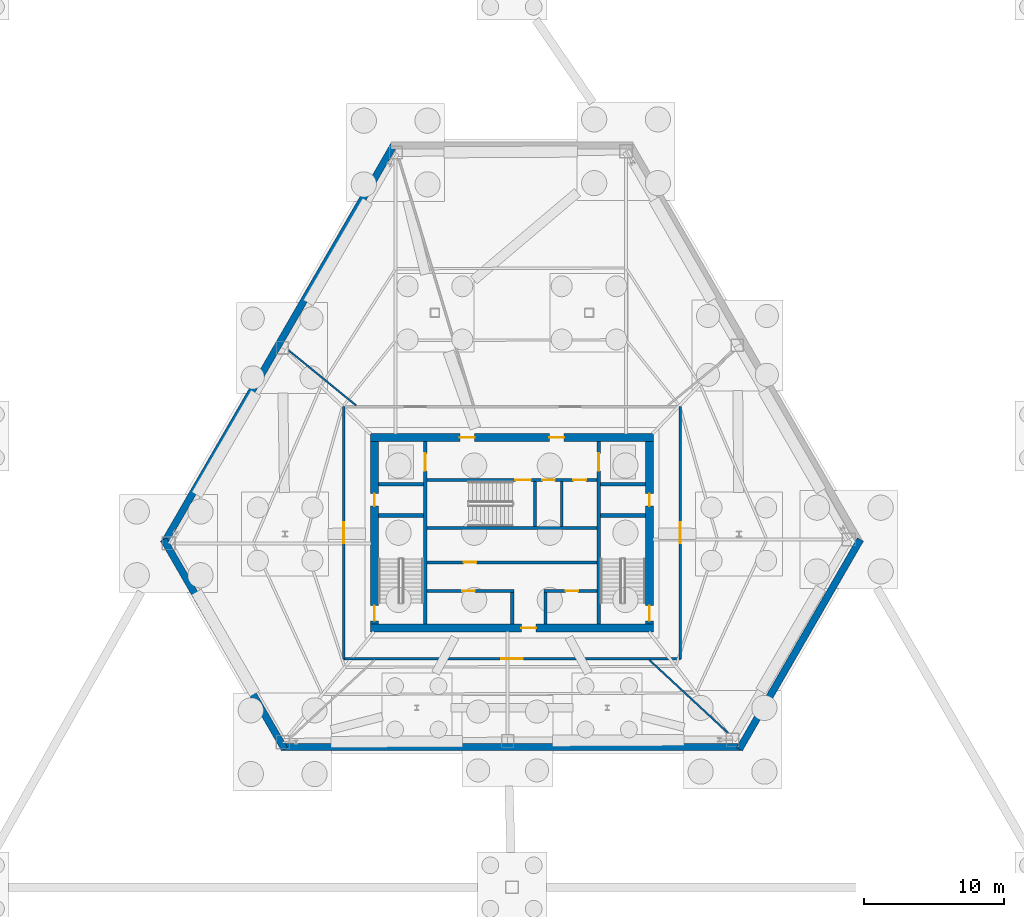
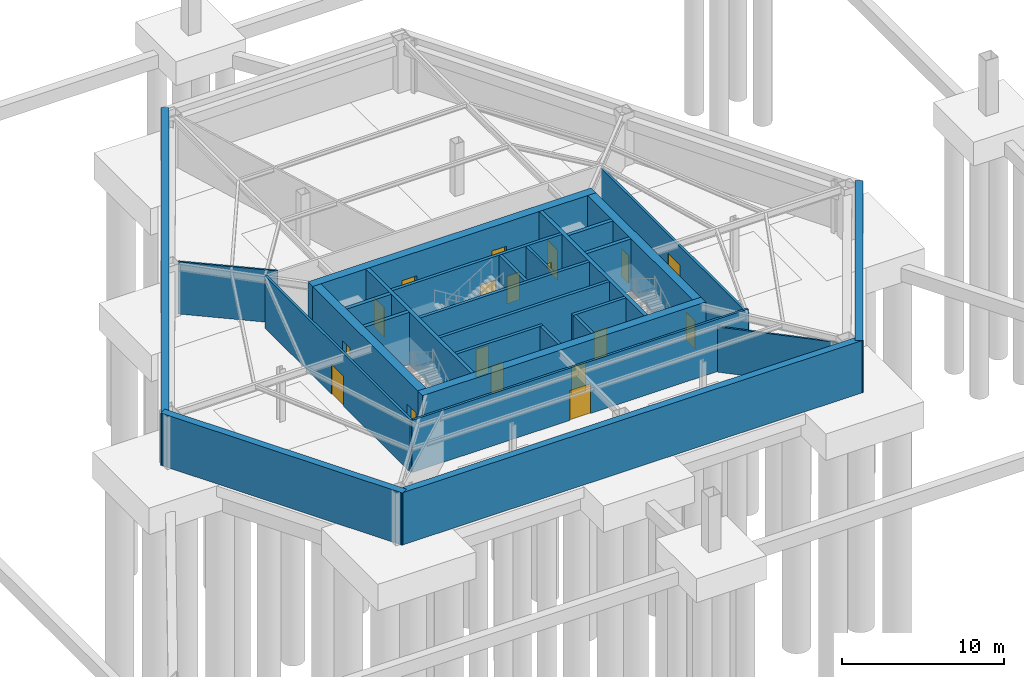
# One storey, part 8 of 11: 28 walls, 18 doors, 18 openings.
"""IFC4 building model written with IfcOpenShell, lengths in metres."""

from ifc_helpers import new_model, si_unit, direction, frame, frame_2d, origin, place, context, subcontext, project, spatial, rectangle, extrude, material, layer, layer_set, type_object, element, fill, save


model = new_model("IFC4")

# Units and contexts
model_context = context("Model", 3, precision=1e-05, world=origin(), true_north=direction((0.0, 1.0)))
body_context = subcontext(model_context, "Body", "Model", "MODEL_VIEW")
ifc_project = project(units=[si_unit("LENGTHUNIT", "METRE"), si_unit("AREAUNIT", "SQUARE_METRE"), si_unit("VOLUMEUNIT", "CUBIC_METRE"), si_unit("PLANEANGLEUNIT", "RADIAN"), si_unit("MASSUNIT", "GRAM", prefix="KILO")], contexts=[model_context])

# Site, building, storey
site_placement = place(None, origin())
site = spatial("IfcSite", under=ifc_project, at=site_placement, CompositionType="ELEMENT")
building_placement = place(site_placement, origin())
building = spatial("IfcBuilding", under=site, at=building_placement, Name="Kavelnor Concourse Tower", CompositionType="ELEMENT")
storey_placement = place(building_placement, frame((0.0, 0.0, -8.39990234375)))
storey = spatial("IfcBuildingStorey", under=building, at=storey_placement, Name="B02", CompositionType="ELEMENT", Elevation=-8.39990234375)

# Walls
ifc_material_1 = material(Name="Concrete C50/60", Category="concrete")
ifc_layer_1 = layer(ifc_material_1, 0.5, Name="Concrete C50/60")
ifc_layer_set_1 = layer_set([ifc_layer_1], Name="Concrete C50/60")
wall_type_1 = type_object("IfcWallType", Name="WL-BSMT-RET-500", PredefinedType="SHEAR", material=ifc_layer_set_1)
wall_1_placement = place(storey_placement, frame((29.622314453125, 43.889404296875, 0.0), z_axis=(0.0, 0.0, 1.0), x_axis=(-0.499999749417, -0.866025548458, 0.0)))
element("IfcWall", 1, at=wall_1_placement, inside=storey, type_object=wall_type_1, Name="B02 Perimeter Retaining Wall 2 (500 mm)", PredefinedType="SHEAR", context=body_context, shape_type="SweptSolid", body=[
    extrude(rectangle(XDim=33.0, YDim=0.5, at=frame_2d((16.5, 0.0))), origin(), (0.0, 0.0, 1.0), 3.949951171875),
])
wall_2_placement = place(storey_placement, frame((13.122314453125, 15.618408203125, 0.0), z_axis=(0.0, 0.0, 1.0), x_axis=(0.499998305863, -0.866026381893, 0.0)))
element("IfcWall", 2, at=wall_2_placement, inside=storey, type_object=wall_type_1, Name="B02 Perimeter Retaining Wall 3 (500 mm)", PredefinedType="SHEAR", context=body_context, shape_type="SweptSolid", body=[
    extrude(rectangle(XDim=17.28857421875, YDim=0.5, at=frame_2d((8.644287109375, 0.0))), origin(), (0.0, 0.0, 1.0), 3.949951171875),
])
wall_3_placement = place(storey_placement, frame((21.5, 0.800048828125, 0.0), z_axis=(0.0, 0.0, 1.0), x_axis=(1.0, 0.0, 0.0)))
element("IfcWall", 3, at=wall_3_placement, inside=storey, type_object=wall_type_1, Name="B02 Perimeter Retaining Wall 4 (500 mm)", PredefinedType="SHEAR", context=body_context, shape_type="SweptSolid", body=[
    extrude(rectangle(XDim=33.0, YDim=0.5, at=frame_2d((16.5, 0.0))), origin(), (0.0, 0.0, 1.0), 3.949951171875),
])
wall_4_placement = place(storey_placement, frame((54.2333984375, 0.64599609375, 0.0), z_axis=(0.0, 0.0, 1.0), x_axis=(0.499998305863, 0.866026381893, 0.0)))
element("IfcWall", 4, at=wall_4_placement, inside=storey, type_object=wall_type_1, Name="B02 Perimeter Retaining Wall 5 (500 mm)", PredefinedType="SHEAR", context=body_context, shape_type="SweptSolid", body=[
    extrude(rectangle(XDim=17.28857421875, YDim=0.5, at=frame_2d((8.644287109375, 0.0))), origin(), (0.0, 0.0, 1.0), 3.949951171875),
])

# Wall, opening, door
ifc_material_2 = material(Name="Concrete C60/75", Category="concrete")
ifc_layer_2 = layer(ifc_material_2, 0.60009765625, Name="Concrete C60/75")
ifc_layer_set_2 = layer_set([ifc_layer_2], Name="Concrete C60/75")
wall_type_2 = type_object("IfcWallType", Name="WL-CORE-Z1-600", PredefinedType="SOLIDWALL", material=ifc_layer_set_2)
wall_5_placement = place(storey_placement, frame((27.8798828125, 9.300048828125, 0.0), z_axis=(0.0, 0.0, 1.0), x_axis=(1.0, 0.0, 0.0)))
wall_5 = element("IfcWall", 5, at=wall_5_placement, inside=storey, type_object=wall_type_2, Name="B02 Central Core South Shear Wall", PredefinedType="SOLIDWALL", context=body_context, shape_type="SweptSolid", body=[
    extrude(rectangle(XDim=20.240234375, YDim=0.60009765625, at=frame_2d((10.1201171875, 0.0))), origin(), (0.0, 0.0, 1.0), 3.949951171875),
])
opening_1_placement = place(wall_5_placement, frame((10.794921875, 0.0, 0.0)))
opening_1 = element("IfcOpeningElement", 6, at=opening_1_placement, cuts=wall_5, Name="Opening FD-105", PredefinedType="OPENING", context=body_context, shape_type="SweptSolid", body=[
    extrude(rectangle(XDim=1.050048828125, YDim=2.14990234375, at=frame_2d((0.52490234375, 1.074951171875))), frame((0.0, 0.31005859375, 0.0), z_axis=(0.0, -1.0, 0.0), x_axis=(1.0, 0.0, 0.0)), (0.0, 0.0, 1.0), 0.6201171875),
])
ifc_material_3 = material(Name="Steel Grade 350", Category="steel")
door_type_1 = type_object("IfcDoorType", Name="DR-LOBBY-FIRE-1050", OperationType="NOTDEFINED", PredefinedType="DOOR", material=ifc_material_3)
door_1_placement = place(opening_1_placement, origin())
door_1 = element("IfcDoor", 7, at=door_1_placement, inside=storey, type_object=door_type_1, Name="B02 Passenger Lift Lobby Entry Door", OperationType="SINGLE_SWING_LEFT", OverallHeight=2.14990234375, OverallWidth=1.050048828125, PredefinedType="DOOR", context=body_context, shape_type="SweptSolid", body=[
    extrude(rectangle(XDim=1.050048828125, YDim=2.14990234375, at=frame_2d((0.52490234375, 1.074951171875))), frame((0.0, 0.02490234375, 0.0), z_axis=(0.0, -1.0, 0.0), x_axis=(1.0, 0.0, 0.0)), (0.0, 0.0, 1.0), 0.050048828125),
])
fill(opening_1, door_1)

# Wall, openings, doors
wall_6_placement = place(storey_placement, frame((27.8798828125, 22.89990234375, 0.0), z_axis=(0.0, 0.0, 1.0), x_axis=(1.0, 0.0, 0.0)))
wall_6 = element("IfcWall", 8, at=wall_6_placement, inside=storey, type_object=wall_type_2, Name="B02 Central Core North Shear Wall", PredefinedType="SOLIDWALL", context=body_context, shape_type="SweptSolid", body=[
    extrude(rectangle(XDim=20.240234375, YDim=0.60009765625, at=frame_2d((10.1201171875, 0.0))), origin(), (0.0, 0.0, 1.0), 3.949951171875),
])
opening_2_placement = place(wall_6_placement, frame((6.39501953125, 0.0, 0.0)))
opening_2 = element("IfcOpeningElement", 9, at=opening_2_placement, cuts=wall_6, Name="Opening FD-105", PredefinedType="OPENING", context=body_context, shape_type="SweptSolid", body=[
    extrude(rectangle(XDim=1.050048828125, YDim=2.14990234375, at=frame_2d((0.52490234375, 1.074951171875))), frame((0.0, 0.31005859375, 0.0), z_axis=(0.0, -1.0, 0.0), x_axis=(1.0, 0.0, 0.0)), (0.0, 0.0, 1.0), 0.6201171875),
])
opening_3_placement = place(wall_6_placement, frame((12.794921875, 0.0, 0.0)))
opening_3 = element("IfcOpeningElement", 10, at=opening_3_placement, cuts=wall_6, Name="Opening FD-105", PredefinedType="OPENING", context=body_context, shape_type="SweptSolid", body=[
    extrude(rectangle(XDim=1.050048828125, YDim=2.14990234375, at=frame_2d((0.52490234375, 1.074951171875))), frame((0.0, 0.31005859375, 0.0), z_axis=(0.0, -1.0, 0.0), x_axis=(1.0, 0.0, 0.0)), (0.0, 0.0, 1.0), 0.6201171875),
])
door_2_placement = place(opening_2_placement, origin())
door_2 = element("IfcDoor", 11, at=door_2_placement, inside=storey, type_object=door_type_1, Name="B02 Emergency Lift Lobby West Door", OperationType="SINGLE_SWING_LEFT", OverallHeight=2.14990234375, OverallWidth=1.050048828125, PredefinedType="DOOR", context=body_context, shape_type="SweptSolid", body=[
    extrude(rectangle(XDim=1.050048828125, YDim=2.14990234375, at=frame_2d((0.52490234375, 1.074951171875))), frame((0.0, 0.02490234375, 0.0), z_axis=(0.0, -1.0, 0.0), x_axis=(1.0, 0.0, 0.0)), (0.0, 0.0, 1.0), 0.050048828125),
])
fill(opening_2, door_2)
door_3_placement = place(opening_3_placement, origin())
door_3 = element("IfcDoor", 12, at=door_3_placement, inside=storey, type_object=door_type_1, Name="B02 Emergency Lift Lobby East Door", OperationType="SINGLE_SWING_RIGHT", OverallHeight=2.14990234375, OverallWidth=1.050048828125, PredefinedType="DOOR", context=body_context, shape_type="SweptSolid", body=[
    extrude(rectangle(XDim=1.050048828125, YDim=2.14990234375, at=frame_2d((0.52490234375, 1.074951171875))), frame((0.0, 0.02490234375, 0.0), z_axis=(0.0, -1.0, 0.0), x_axis=(1.0, 0.0, 0.0)), (0.0, 0.0, 1.0), 0.050048828125),
])
fill(opening_3, door_3)

wall_7_placement = place(storey_placement, frame((28.179931640625, 9.60009765625, 0.0), z_axis=(0.0, 0.0, 1.0), x_axis=(0.0, 1.0, 0.0)))
wall_7 = element("IfcWall", 13, at=wall_7_placement, inside=storey, type_object=wall_type_2, Name="B02 Central Core West Shear Wall", PredefinedType="SOLIDWALL", context=body_context, shape_type="SweptSolid", body=[
    extrude(rectangle(XDim=13.0, YDim=0.60009765625, at=frame_2d((6.5, 0.0))), origin(), (0.0, 0.0, 1.0), 3.949951171875),
])
opening_4_placement = place(wall_7_placement, frame((0.199951171875, 0.0, 0.0)))
opening_4 = element("IfcOpeningElement", 14, at=opening_4_placement, cuts=wall_7, Name="Opening FD-110", PredefinedType="OPENING", context=body_context, shape_type="SweptSolid", body=[
    extrude(rectangle(XDim=1.10009765625, YDim=2.14990234375, at=frame_2d((0.550048828125, 1.074951171875))), frame((0.0, 0.31005859375, 0.0), z_axis=(0.0, -1.0, 0.0), x_axis=(1.0, 0.0, 0.0)), (0.0, 0.0, 1.0), 0.6201171875),
])
opening_5_placement = place(wall_7_placement, frame((8.39990234375, 0.0, 0.0)))
opening_5 = element("IfcOpeningElement", 15, at=opening_5_placement, cuts=wall_7, Name="Opening FD-090", PredefinedType="OPENING", context=body_context, shape_type="SweptSolid", body=[
    extrude(rectangle(XDim=0.89990234375, YDim=2.10009765625, at=frame_2d((0.449951171875, 1.050048828125))), frame((0.0, 0.31005859375, 0.0), z_axis=(0.0, -1.0, 0.0), x_axis=(1.0, 0.0, 0.0)), (0.0, 0.0, 1.0), 0.6201171875),
])
door_type_2 = type_object("IfcDoorType", Name="DR-RISER-FIRE-900", OperationType="NOTDEFINED", PredefinedType="DOOR", material=ifc_material_3)
door_4_placement = place(opening_5_placement, origin())
door_4 = element("IfcDoor", 16, at=door_4_placement, inside=storey, type_object=door_type_2, Name="B02 West Riser Access Door", OperationType="SINGLE_SWING_RIGHT", OverallHeight=2.10009765625, OverallWidth=0.89990234375, PredefinedType="DOOR", context=body_context, shape_type="SweptSolid", body=[
    extrude(rectangle(XDim=0.89990234375, YDim=2.10009765625, at=frame_2d((0.449951171875, 1.050048828125))), frame((0.0, 0.02490234375, 0.0), z_axis=(0.0, -1.0, 0.0), x_axis=(1.0, 0.0, 0.0)), (0.0, 0.0, 1.0), 0.050048828125),
])
fill(opening_5, door_4)
door_type_3 = type_object("IfcDoorType", Name="DR-STAIR-FIRE-1100", OperationType="NOTDEFINED", PredefinedType="DOOR", material=ifc_material_3)
door_5_placement = place(opening_4_placement, origin())
door_5 = element("IfcDoor", 17, at=door_5_placement, inside=storey, type_object=door_type_3, Name="B02 Stair ST1 Fire Door", OperationType="SINGLE_SWING_LEFT", OverallHeight=2.14990234375, OverallWidth=1.10009765625, PredefinedType="DOOR", context=body_context, shape_type="SweptSolid", body=[
    extrude(rectangle(XDim=1.10009765625, YDim=2.14990234375, at=frame_2d((0.550048828125, 1.074951171875))), frame((0.0, 0.02490234375, 0.0), z_axis=(0.0, -1.0, 0.0), x_axis=(1.0, 0.0, 0.0)), (0.0, 0.0, 1.0), 0.050048828125),
])
fill(opening_4, door_5)

wall_8_placement = place(storey_placement, frame((47.820068359375, 9.60009765625, 0.0), z_axis=(0.0, 0.0, 1.0), x_axis=(0.0, 1.0, 0.0)))
wall_8 = element("IfcWall", 18, at=wall_8_placement, inside=storey, type_object=wall_type_2, Name="B02 Central Core East Shear Wall", PredefinedType="SOLIDWALL", context=body_context, shape_type="SweptSolid", body=[
    extrude(rectangle(XDim=13.0, YDim=0.60009765625, at=frame_2d((6.5, 0.0))), origin(), (0.0, 0.0, 1.0), 3.949951171875),
])
opening_6_placement = place(wall_8_placement, frame((0.199951171875, 0.0, 0.0)))
opening_6 = element("IfcOpeningElement", 19, at=opening_6_placement, cuts=wall_8, Name="Opening FD-110", PredefinedType="OPENING", context=body_context, shape_type="SweptSolid", body=[
    extrude(rectangle(XDim=1.10009765625, YDim=2.14990234375, at=frame_2d((0.550048828125, 1.074951171875))), frame((0.0, 0.31005859375, 0.0), z_axis=(0.0, -1.0, 0.0), x_axis=(1.0, 0.0, 0.0)), (0.0, 0.0, 1.0), 0.6201171875),
])
opening_7_placement = place(wall_8_placement, frame((8.39990234375, 0.0, 0.0)))
opening_7 = element("IfcOpeningElement", 20, at=opening_7_placement, cuts=wall_8, Name="Opening FD-090", PredefinedType="OPENING", context=body_context, shape_type="SweptSolid", body=[
    extrude(rectangle(XDim=0.89990234375, YDim=2.10009765625, at=frame_2d((0.449951171875, 1.050048828125))), frame((0.0, 0.31005859375, 0.0), z_axis=(0.0, -1.0, 0.0), x_axis=(1.0, 0.0, 0.0)), (0.0, 0.0, 1.0), 0.6201171875),
])
door_6_placement = place(opening_7_placement, origin())
door_6 = element("IfcDoor", 21, at=door_6_placement, inside=storey, type_object=door_type_2, Name="B02 East Riser Access Door", OperationType="SINGLE_SWING_LEFT", OverallHeight=2.10009765625, OverallWidth=0.89990234375, PredefinedType="DOOR", context=body_context, shape_type="SweptSolid", body=[
    extrude(rectangle(XDim=0.89990234375, YDim=2.10009765625, at=frame_2d((0.449951171875, 1.050048828125))), frame((0.0, 0.02490234375, 0.0), z_axis=(0.0, -1.0, 0.0), x_axis=(1.0, 0.0, 0.0)), (0.0, 0.0, 1.0), 0.050048828125),
])
fill(opening_7, door_6)
door_7_placement = place(opening_6_placement, origin())
door_7 = element("IfcDoor", 22, at=door_7_placement, inside=storey, type_object=door_type_3, Name="B02 Stair ST2 Fire Door", OperationType="SINGLE_SWING_RIGHT", OverallHeight=2.14990234375, OverallWidth=1.10009765625, PredefinedType="DOOR", context=body_context, shape_type="SweptSolid", body=[
    extrude(rectangle(XDim=1.10009765625, YDim=2.14990234375, at=frame_2d((0.550048828125, 1.074951171875))), frame((0.0, 0.02490234375, 0.0), z_axis=(0.0, -1.0, 0.0), x_axis=(1.0, 0.0, 0.0)), (0.0, 0.0, 1.0), 0.050048828125),
])
fill(opening_6, door_7)

# Wall
ifc_material_4 = material(Name="Gypsum plasterboard on light-gauge steel studs", Category="steel")
ifc_layer_3 = layer(ifc_material_4, 0.1650390625, Name="Gypsum plasterboard on light-gauge steel studs")
ifc_layer_set_3 = layer_set([ifc_layer_3], Name="Gypsum plasterboard on light-gauge steel studs")
wall_type_3 = type_object("IfcWallType", Name="WL-INT-FIRE-165", PredefinedType="PARTITIONING", material=ifc_layer_set_3)
wall_9_placement = place(storey_placement, frame((41.550048828125, 16.56005859375, 0.0), z_axis=(0.0, 0.0, 1.0), x_axis=(0.0, 1.0, 0.0)))
element("IfcWall", 23, at=wall_9_placement, inside=storey, type_object=wall_type_3, Name="B02 Core North Support Divider", PredefinedType="PARTITIONING", context=body_context, shape_type="SweptSolid", body=[
    extrude(rectangle(XDim=3.199951171875, YDim=0.1650390625, at=frame_2d((1.60009765625, 0.0))), origin(), (0.0, 0.0, 1.0), 3.949951171875),
])

# Wall, opening, door
wall_10_placement = place(storey_placement, frame((25.97998046875, 7.10009765625, 0.0), z_axis=(0.0, 0.0, 1.0), x_axis=(1.0, 0.0, 0.0)))
wall_10 = element("IfcWall", 24, at=wall_10_placement, inside=storey, type_object=wall_type_3, Name="B02 Corridor Wall WL-B02-CR-S", PredefinedType="PARTITIONING", context=body_context, shape_type="SweptSolid", body=[
    extrude(rectangle(XDim=24.0400390625, YDim=0.1650390625, at=frame_2d((12.02001953125, 0.0))), origin(), (0.0, 0.0, 1.0), 3.949951171875),
])
opening_8_placement = place(wall_10_placement, frame((11.27001953125, 0.0, 0.0)))
opening_8 = element("IfcOpeningElement", 25, at=opening_8_placement, cuts=wall_10, Name="Opening PD-150", PredefinedType="OPENING", context=body_context, shape_type="SweptSolid", body=[
    extrude(rectangle(XDim=1.5, YDim=2.25, at=frame_2d((0.75, 1.125))), frame((0.0, 0.092529296875, 0.0), z_axis=(0.0, -1.0, 0.0), x_axis=(1.0, 0.0, 0.0)), (0.0, 0.0, 1.0), 0.18505859375),
])
door_type_4 = type_object("IfcDoorType", Name="DR-PLANT-1500", OperationType="NOTDEFINED", PredefinedType="DOOR", material=ifc_material_3)
door_8_placement = place(opening_8_placement, origin())
door_8 = element("IfcDoor", 26, at=door_8_placement, inside=storey, type_object=door_type_4, Name="B02 Central Chiller Plant Room 04 Door", OperationType="DOUBLE_DOOR_SINGLE_SWING", OverallHeight=2.25, OverallWidth=1.5, PredefinedType="DOOR", context=body_context, shape_type="SweptSolid", body=[
    extrude(rectangle(XDim=1.5, YDim=2.25, at=frame_2d((0.75, 1.125))), frame((0.0, 0.02490234375, 0.0), z_axis=(0.0, -1.0, 0.0), x_axis=(1.0, 0.0, 0.0)), (0.0, 0.0, 1.0), 0.050048828125),
])
fill(opening_8, door_8)

wall_11_placement = place(storey_placement, frame((25.97998046875, 7.10009765625, 0.0), z_axis=(0.0, 0.0, 1.0), x_axis=(0.0, 1.0, 0.0)))
wall_11 = element("IfcWall", 27, at=wall_11_placement, inside=storey, type_object=wall_type_3, Name="B02 Corridor Wall WL-B02-CR-W", PredefinedType="PARTITIONING", context=body_context, shape_type="SweptSolid", body=[
    extrude(rectangle(XDim=18.0, YDim=0.1650390625, at=frame_2d((9.0, 0.0))), origin(), (0.0, 0.0, 1.0), 3.949951171875),
])
opening_9_placement = place(wall_11_placement, frame((8.25, 0.0, 0.0)))
opening_9 = element("IfcOpeningElement", 28, at=opening_9_placement, cuts=wall_11, Name="Opening PD-150", PredefinedType="OPENING", context=body_context, shape_type="SweptSolid", body=[
    extrude(rectangle(XDim=1.5, YDim=2.25, at=frame_2d((0.75, 1.125))), frame((0.0, 0.092529296875, 0.0), z_axis=(0.0, -1.0, 0.0), x_axis=(1.0, 0.0, 0.0)), (0.0, 0.0, 1.0), 0.18505859375),
])
door_9_placement = place(opening_9_placement, origin())
door_9 = element("IfcDoor", 29, at=door_9_placement, inside=storey, type_object=door_type_4, Name="B02 High-Voltage Electrical Substation 03 Door", OperationType="DOUBLE_DOOR_SINGLE_SWING", OverallHeight=2.25, OverallWidth=1.5, PredefinedType="DOOR", context=body_context, shape_type="SweptSolid", body=[
    extrude(rectangle(XDim=1.5, YDim=2.25, at=frame_2d((0.75, 1.125))), frame((0.0, 0.02490234375, 0.0), z_axis=(0.0, -1.0, 0.0), x_axis=(1.0, 0.0, 0.0)), (0.0, 0.0, 1.0), 0.050048828125),
])
fill(opening_9, door_9)

wall_12_placement = place(storey_placement, frame((50.02001953125, 7.10009765625, 0.0), z_axis=(0.0, 0.0, 1.0), x_axis=(0.0, 1.0, 0.0)))
wall_12 = element("IfcWall", 30, at=wall_12_placement, inside=storey, type_object=wall_type_3, Name="B02 Corridor Wall WL-B02-CR-E", PredefinedType="PARTITIONING", context=body_context, shape_type="SweptSolid", body=[
    extrude(rectangle(XDim=18.0, YDim=0.1650390625, at=frame_2d((9.0, 0.0))), origin(), (0.0, 0.0, 1.0), 3.637939453125),
])
opening_10_placement = place(wall_12_placement, frame((8.25, 0.0, 0.0)))
opening_10 = element("IfcOpeningElement", 31, at=opening_10_placement, cuts=wall_12, Name="Opening PD-150", PredefinedType="OPENING", context=body_context, shape_type="SweptSolid", body=[
    extrude(rectangle(XDim=1.5, YDim=2.25, at=frame_2d((0.75, 1.125))), frame((0.0, 0.092529296875, 0.0), z_axis=(0.0, -1.0, 0.0), x_axis=(1.0, 0.0, 0.0)), (0.0, 0.0, 1.0), 0.18505859375),
])
door_10_placement = place(opening_10_placement, origin())
door_10 = element("IfcDoor", 32, at=door_10_placement, inside=storey, type_object=door_type_4, Name="B02 Fire Hydrant and Booster Pump Room 05 Door", OperationType="DOUBLE_DOOR_SINGLE_SWING", OverallHeight=2.25, OverallWidth=1.5, PredefinedType="DOOR", context=body_context, shape_type="SweptSolid", body=[
    extrude(rectangle(XDim=1.5, YDim=2.25, at=frame_2d((0.75, 1.125))), frame((0.0, 0.02490234375, 0.0), z_axis=(0.0, -1.0, 0.0), x_axis=(1.0, 0.0, 0.0)), (0.0, 0.0, 1.0), 0.050048828125),
])
fill(opening_10, door_10)

# Walls
ifc_layer_4 = layer(ifc_material_4, 0.125, Name="Gypsum plasterboard on light-gauge steel studs")
ifc_layer_set_4 = layer_set([ifc_layer_4], Name="Gypsum plasterboard on light-gauge steel studs")
wall_type_4 = type_object("IfcWallType", Name="WL-INT-SUITE-125", PredefinedType="PARTITIONING", material=ifc_layer_set_4)
wall_13_placement = place(storey_placement, frame((26.868408203125, 25.1904296875, 0.0), z_axis=(0.0, 0.0, 1.0), x_axis=(-0.774552615405, 0.632509482908, 0.0)))
element("IfcWall", 33, at=wall_13_placement, inside=storey, type_object=wall_type_4, Name="B02 Radial Suite Partition 03", PredefinedType="PARTITIONING", context=body_context, shape_type="SweptSolid", body=[
    extrude(rectangle(XDim=6.22705078125, YDim=0.125, at=frame_2d((3.113525390625, 0.0))), origin(), (0.0, 0.0, 1.0), 3.949951171875),
])
wall_14_placement = place(storey_placement, frame((47.811279296875, 7.009521484375, 0.0), z_axis=(0.0, 0.0, 1.0), x_axis=(0.733527128647, -0.679660173571, 0.0)))
element("IfcWall", 34, at=wall_14_placement, inside=storey, type_object=wall_type_4, Name="B02 Radial Suite Partition 05", PredefinedType="PARTITIONING", context=body_context, shape_type="SweptSolid", body=[
    extrude(rectangle(XDim=7.6640625, YDim=0.125, at=frame_2d((3.83203125, 0.0))), origin(), (0.0, 0.0, 1.0), 3.4169921875),
])

# Wall, openings, doors
ifc_layer_5 = layer(ifc_material_1, 0.219970703125, Name="Concrete C50/60")
ifc_layer_set_5 = layer_set([ifc_layer_5], Name="Concrete C50/60")
wall_type_5 = type_object("IfcWallType", Name="WL-SHAFT-220", PredefinedType="SOLIDWALL", material=ifc_layer_set_5)
wall_15_placement = place(storey_placement, frame((31.93994140625, 19.8701171875, 0.0), z_axis=(0.0, 0.0, 1.0), x_axis=(1.0, 0.0, 0.0)))
wall_15 = element("IfcWall", 35, at=wall_15_placement, inside=storey, type_object=wall_type_5, Name="B02 Emergency Lift Lobby South Wall", PredefinedType="SOLIDWALL", context=body_context, shape_type="SweptSolid", body=[
    extrude(rectangle(XDim=12.1201171875, YDim=0.219970703125, at=frame_2d((6.06005859375, 0.0))), origin(), (0.0, 0.0, 1.0), 3.949951171875),
])
opening_11_placement = place(wall_15_placement, frame((6.300048828125, 0.0, 0.0)))
opening_11 = element("IfcOpeningElement", 36, at=opening_11_placement, cuts=wall_15, Name="Opening FD-110", PredefinedType="OPENING", context=body_context, shape_type="SweptSolid", body=[
    extrude(rectangle(XDim=1.10009765625, YDim=2.14990234375, at=frame_2d((0.550048828125, 1.074951171875))), frame((0.0, 0.1201171875, 0.0), z_axis=(0.0, -1.0, 0.0), x_axis=(1.0, 0.0, 0.0)), (0.0, 0.0, 1.0), 0.239990234375),
])
opening_12_placement = place(wall_15_placement, frame((8.22998046875, 0.0, 0.0)))
opening_12 = element("IfcOpeningElement", 37, at=opening_12_placement, cuts=wall_15, Name="Opening FD-090", PredefinedType="OPENING", context=body_context, shape_type="SweptSolid", body=[
    extrude(rectangle(XDim=0.89990234375, YDim=2.10009765625, at=frame_2d((0.449951171875, 1.050048828125))), frame((0.0, 0.1201171875, 0.0), z_axis=(0.0, -1.0, 0.0), x_axis=(1.0, 0.0, 0.0)), (0.0, 0.0, 1.0), 0.239990234375),
])
opening_13_placement = place(wall_15_placement, frame((10.449951171875, 0.0, 0.0)))
opening_13 = element("IfcOpeningElement", 38, at=opening_13_placement, cuts=wall_15, Name="Opening FD-090", PredefinedType="OPENING", context=body_context, shape_type="SweptSolid", body=[
    extrude(rectangle(XDim=0.89990234375, YDim=2.10009765625, at=frame_2d((0.449951171875, 1.050048828125))), frame((0.0, 0.1201171875, 0.0), z_axis=(0.0, -1.0, 0.0), x_axis=(1.0, 0.0, 0.0)), (0.0, 0.0, 1.0), 0.239990234375),
])
door_11_placement = place(opening_12_placement, origin())
door_11 = element("IfcDoor", 39, at=door_11_placement, inside=storey, type_object=door_type_2, Name="B02 Telecom Room Door", OperationType="SINGLE_SWING_LEFT", OverallHeight=2.10009765625, OverallWidth=0.89990234375, PredefinedType="DOOR", context=body_context, shape_type="SweptSolid", body=[
    extrude(rectangle(XDim=0.89990234375, YDim=2.10009765625, at=frame_2d((0.449951171875, 1.050048828125))), frame((0.0, 0.02490234375, 0.0), z_axis=(0.0, -1.0, 0.0), x_axis=(1.0, 0.0, 0.0)), (0.0, 0.0, 1.0), 0.050048828125),
])
fill(opening_12, door_11)
door_12_placement = place(opening_13_placement, origin())
door_12 = element("IfcDoor", 40, at=door_12_placement, inside=storey, type_object=door_type_2, Name="B02 Janitor Store Door", OperationType="SINGLE_SWING_RIGHT", OverallHeight=2.10009765625, OverallWidth=0.89990234375, PredefinedType="DOOR", context=body_context, shape_type="SweptSolid", body=[
    extrude(rectangle(XDim=0.89990234375, YDim=2.10009765625, at=frame_2d((0.449951171875, 1.050048828125))), frame((0.0, 0.02490234375, 0.0), z_axis=(0.0, -1.0, 0.0), x_axis=(1.0, 0.0, 0.0)), (0.0, 0.0, 1.0), 0.050048828125),
])
fill(opening_13, door_12)
door_13_placement = place(opening_11_placement, origin())
door_13 = element("IfcDoor", 41, at=door_13_placement, inside=storey, type_object=door_type_3, Name="B02 Stair ST3 Fire Door", OperationType="SINGLE_SWING_LEFT", OverallHeight=2.14990234375, OverallWidth=1.10009765625, PredefinedType="DOOR", context=body_context, shape_type="SweptSolid", body=[
    extrude(rectangle(XDim=1.10009765625, YDim=2.14990234375, at=frame_2d((0.550048828125, 1.074951171875))), frame((0.0, 0.02490234375, 0.0), z_axis=(0.0, -1.0, 0.0), x_axis=(1.0, 0.0, 0.0)), (0.0, 0.0, 1.0), 0.050048828125),
])
fill(opening_11, door_13)

# Walls
wall_16_placement = place(storey_placement, frame((31.93994140625, 16.449951171875, 0.0), z_axis=(0.0, 0.0, 1.0), x_axis=(1.0, 0.0, 0.0)))
element("IfcWall", 42, at=wall_16_placement, inside=storey, type_object=wall_type_5, Name="B02 Stair ST3 South Core Wall", PredefinedType="SOLIDWALL", context=body_context, shape_type="SweptSolid", body=[
    extrude(rectangle(XDim=12.1201171875, YDim=0.219970703125, at=frame_2d((6.06005859375, 0.0))), origin(), (0.0, 0.0, 1.0), 3.949951171875),
])
wall_17_placement = place(storey_placement, frame((39.64990234375, 16.56005859375, 0.0), z_axis=(0.0, 0.0, 1.0), x_axis=(0.0, 1.0, 0.0)))
element("IfcWall", 43, at=wall_17_placement, inside=storey, type_object=wall_type_5, Name="B02 Stair ST3 East Core Wall", PredefinedType="SOLIDWALL", context=body_context, shape_type="SweptSolid", body=[
    extrude(rectangle(XDim=3.199951171875, YDim=0.219970703125, at=frame_2d((1.60009765625, 0.0))), origin(), (0.0, 0.0, 1.0), 3.949951171875),
])

# Wall, opening, door
wall_18_placement = place(storey_placement, frame((31.93994140625, 13.989990234375, 0.0), z_axis=(0.0, 0.0, 1.0), x_axis=(1.0, 0.0, 0.0)))
wall_18 = element("IfcWall", 44, at=wall_18_placement, inside=storey, type_object=wall_type_5, Name="B02 North Lift Row Shaft Wall", PredefinedType="SOLIDWALL", context=body_context, shape_type="SweptSolid", body=[
    extrude(rectangle(XDim=12.1201171875, YDim=0.219970703125, at=frame_2d((6.06005859375, 0.0))), origin(), (0.0, 0.0, 1.0), 3.949951171875),
])
opening_14_placement = place(wall_18_placement, frame((2.610107421875, 0.0, 0.0)))
opening_14 = element("IfcOpeningElement", 45, at=opening_14_placement, cuts=wall_18, Name="Opening FD-090", PredefinedType="OPENING", context=body_context, shape_type="SweptSolid", body=[
    extrude(rectangle(XDim=0.89990234375, YDim=2.10009765625, at=frame_2d((0.449951171875, 1.050048828125))), frame((0.0, 0.1201171875, 0.0), z_axis=(0.0, -1.0, 0.0), x_axis=(1.0, 0.0, 0.0)), (0.0, 0.0, 1.0), 0.239990234375),
])
door_14_placement = place(opening_14_placement, origin())
door_14 = element("IfcDoor", 46, at=door_14_placement, inside=storey, type_object=door_type_2, Name="B02 North Lift Pit Door", OperationType="SINGLE_SWING_LEFT", OverallHeight=2.10009765625, OverallWidth=0.89990234375, PredefinedType="DOOR", context=body_context, shape_type="SweptSolid", body=[
    extrude(rectangle(XDim=0.89990234375, YDim=2.10009765625, at=frame_2d((0.449951171875, 1.050048828125))), frame((0.0, 0.02490234375, 0.0), z_axis=(0.0, -1.0, 0.0), x_axis=(1.0, 0.0, 0.0)), (0.0, 0.0, 1.0), 0.050048828125),
])
fill(opening_14, door_14)

wall_19_placement = place(storey_placement, frame((31.93994140625, 11.949951171875, 0.0), z_axis=(0.0, 0.0, 1.0), x_axis=(1.0, 0.0, 0.0)))
wall_19 = element("IfcWall", 47, at=wall_19_placement, inside=storey, type_object=wall_type_5, Name="B02 High-Rise Lift Bank North Wall", PredefinedType="SOLIDWALL", context=body_context, shape_type="SweptSolid", body=[
    extrude(rectangle(XDim=6.18994140625, YDim=0.219970703125, at=frame_2d((3.094970703125, 0.0))), origin(), (0.0, 0.0, 1.0), 3.949951171875),
])
opening_15_placement = place(wall_19_placement, frame((2.510009765625, 0.0, 0.0)))
opening_15 = element("IfcOpeningElement", 48, at=opening_15_placement, cuts=wall_19, Name="Opening FD-090", PredefinedType="OPENING", context=body_context, shape_type="SweptSolid", body=[
    extrude(rectangle(XDim=0.89990234375, YDim=2.10009765625, at=frame_2d((0.449951171875, 1.050048828125))), frame((0.0, 0.1201171875, 0.0), z_axis=(0.0, -1.0, 0.0), x_axis=(1.0, 0.0, 0.0)), (0.0, 0.0, 1.0), 0.239990234375),
])
door_15_placement = place(opening_15_placement, origin())
door_15 = element("IfcDoor", 49, at=door_15_placement, inside=storey, type_object=door_type_2, Name="B02 Lift Pit Access Door", OperationType="SINGLE_SWING_LEFT", OverallHeight=2.10009765625, OverallWidth=0.89990234375, PredefinedType="DOOR", context=body_context, shape_type="SweptSolid", body=[
    extrude(rectangle(XDim=0.89990234375, YDim=2.10009765625, at=frame_2d((0.449951171875, 1.050048828125))), frame((0.0, 0.02490234375, 0.0), z_axis=(0.0, -1.0, 0.0), x_axis=(1.0, 0.0, 0.0)), (0.0, 0.0, 1.0), 0.050048828125),
])
fill(opening_15, door_15)

wall_20_placement = place(storey_placement, frame((40.280029296875, 11.949951171875, 0.0), z_axis=(0.0, 0.0, 1.0), x_axis=(1.0, 0.0, 0.0)))
wall_20 = element("IfcWall", 50, at=wall_20_placement, inside=storey, type_object=wall_type_5, Name="B02 Core South Support North Wall", PredefinedType="SOLIDWALL", context=body_context, shape_type="SweptSolid", body=[
    extrude(rectangle(XDim=3.780029296875, YDim=0.219970703125, at=frame_2d((1.89013671875, 0.0))), origin(), (0.0, 0.0, 1.0), 3.949951171875),
])
opening_16_placement = place(wall_20_placement, frame((1.550048828125, 0.0, 0.0)))
opening_16 = element("IfcOpeningElement", 51, at=opening_16_placement, cuts=wall_20, Name="Opening FD-090", PredefinedType="OPENING", context=body_context, shape_type="SweptSolid", body=[
    extrude(rectangle(XDim=0.89990234375, YDim=2.10009765625, at=frame_2d((0.449951171875, 1.050048828125))), frame((0.0, 0.1201171875, 0.0), z_axis=(0.0, -1.0, 0.0), x_axis=(1.0, 0.0, 0.0)), (0.0, 0.0, 1.0), 0.239990234375),
])
door_16_placement = place(opening_16_placement, origin())
door_16 = element("IfcDoor", 52, at=door_16_placement, inside=storey, type_object=door_type_2, Name="B02 BMS Metering Door", OperationType="SINGLE_SWING_RIGHT", OverallHeight=2.10009765625, OverallWidth=0.89990234375, PredefinedType="DOOR", context=body_context, shape_type="SweptSolid", body=[
    extrude(rectangle(XDim=0.89990234375, YDim=2.10009765625, at=frame_2d((0.449951171875, 1.050048828125))), frame((0.0, 0.02490234375, 0.0), z_axis=(0.0, -1.0, 0.0), x_axis=(1.0, 0.0, 0.0)), (0.0, 0.0, 1.0), 0.050048828125),
])
fill(opening_16, door_16)

# Walls
for number, where, z_axis, x_axis, name in (
    (53, (38.02001953125, 9.60009765625, 0.0), (0.0, 0.0, 1.0), (0.0, 1.0, 0.0), "B02 Lift Lobby Throat West Wall"),
    (54, (40.389892578125, 9.60009765625, 0.0), (0.0, 0.0, 1.0), (0.0, 1.0, 0.0), "B02 Lift Lobby Throat East Wall"),
):
    element("IfcWall", number, at=place(storey_placement, frame(where, z_axis=z_axis, x_axis=x_axis)), inside=storey, type_object=wall_type_5, Name=name, PredefinedType="SOLIDWALL", context=body_context, shape_type="SweptSolid", body=[
        extrude(rectangle(XDim=2.239990234375, YDim=0.219970703125, at=frame_2d((1.1201171875, 0.0))), origin(), (0.0, 0.0, 1.0), 3.949951171875),
    ])

# Wall, opening, door
ifc_layer_6 = layer(ifc_material_1, 0.260009765625, Name="Concrete C50/60")
ifc_layer_set_6 = layer_set([ifc_layer_6], Name="Concrete C50/60")
wall_type_6 = type_object("IfcWallType", Name="WL-SHAFT-260", PredefinedType="SHEAR", material=ifc_layer_set_6)
wall_21_placement = place(storey_placement, frame((31.81005859375, 9.60009765625, 0.0), z_axis=(0.0, 0.0, 1.0), x_axis=(0.0, 1.0, 0.0)))
wall_21 = element("IfcWall", 55, at=wall_21_placement, inside=storey, type_object=wall_type_6, Name="B02 Core West Wing Shear Wall", PredefinedType="SHEAR", context=body_context, shape_type="SweptSolid", body=[
    extrude(rectangle(XDim=13.0, YDim=0.260009765625, at=frame_2d((6.5, 0.0))), origin(), (0.0, 0.0, 1.0), 3.949951171875),
])
opening_17_placement = place(wall_21_placement, frame((10.925048828125, 0.0, 0.0)))
opening_17 = element("IfcOpeningElement", 56, at=opening_17_placement, cuts=wall_21, Name="Opening LD-125", PredefinedType="OPENING", context=body_context, shape_type="SweptSolid", body=[
    extrude(rectangle(XDim=1.25, YDim=2.25, at=frame_2d((0.625, 1.125))), frame((0.0, 0.14013671875, 0.0), z_axis=(0.0, -1.0, 0.0), x_axis=(1.0, 0.0, 0.0)), (0.0, 0.0, 1.0), 0.280029296875),
])
door_type_5 = type_object("IfcDoorType", Name="DR-LIFT-SLIDING-1250", OperationType="NOTDEFINED", PredefinedType="DOOR", material=ifc_material_3)
door_17_placement = place(opening_17_placement, origin())
door_17 = element("IfcDoor", 57, at=door_17_placement, inside=storey, type_object=door_type_5, Name="B02 Emergency Lift FL1 Landing Door", OperationType="DOUBLE_DOOR_SLIDING", OverallHeight=2.25, OverallWidth=1.25, PredefinedType="DOOR", context=body_context, shape_type="SweptSolid", body=[
    extrude(rectangle(XDim=1.25, YDim=2.25, at=frame_2d((0.625, 1.125))), frame((0.0, 0.02490234375, 0.0), z_axis=(0.0, -1.0, 0.0), x_axis=(1.0, 0.0, 0.0)), (0.0, 0.0, 1.0), 0.050048828125),
])
fill(opening_17, door_17)

wall_22_placement = place(storey_placement, frame((44.18994140625, 9.60009765625, 0.0), z_axis=(0.0, 0.0, 1.0), x_axis=(0.0, 1.0, 0.0)))
wall_22 = element("IfcWall", 58, at=wall_22_placement, inside=storey, type_object=wall_type_6, Name="B02 Core East Wing Shear Wall", PredefinedType="SHEAR", context=body_context, shape_type="SweptSolid", body=[
    extrude(rectangle(XDim=13.0, YDim=0.260009765625, at=frame_2d((6.5, 0.0))), origin(), (0.0, 0.0, 1.0), 3.949951171875),
])
opening_18_placement = place(wall_22_placement, frame((10.925048828125, 0.0, 0.0)))
opening_18 = element("IfcOpeningElement", 59, at=opening_18_placement, cuts=wall_22, Name="Opening LD-125", PredefinedType="OPENING", context=body_context, shape_type="SweptSolid", body=[
    extrude(rectangle(XDim=1.25, YDim=2.25, at=frame_2d((0.625, 1.125))), frame((0.0, 0.14013671875, 0.0), z_axis=(0.0, -1.0, 0.0), x_axis=(1.0, 0.0, 0.0)), (0.0, 0.0, 1.0), 0.280029296875),
])
door_18_placement = place(opening_18_placement, origin())
door_18 = element("IfcDoor", 60, at=door_18_placement, inside=storey, type_object=door_type_5, Name="B02 Emergency Lift FL2 Landing Door", OperationType="DOUBLE_DOOR_SLIDING", OverallHeight=2.25, OverallWidth=1.25, PredefinedType="DOOR", context=body_context, shape_type="SweptSolid", body=[
    extrude(rectangle(XDim=1.25, YDim=2.25, at=frame_2d((0.625, 1.125))), frame((0.0, 0.02490234375, 0.0), z_axis=(0.0, -1.0, 0.0), x_axis=(1.0, 0.0, 0.0)), (0.0, 0.0, 1.0), 0.050048828125),
])
fill(opening_18, door_18)

# Walls
for number, where, z_axis, x_axis, name in (
    (61, (28.47998046875, 17.330078125, 0.0), (0.0, 0.0, 1.0), (1.0, 0.0, 0.0), "B02 Stair ST1 North Shaft Wall"),
    (62, (28.47998046875, 19.570068359375, 0.0), (0.0, 0.0, 1.0), (1.0, 0.0, 0.0), "B02 Emergency Lift FL1 South Shaft Wall"),
    (63, (44.320068359375, 17.330078125, 0.0), (0.0, 0.0, 1.0), (1.0, 0.0, 0.0), "B02 Stair ST2 North Shaft Wall"),
    (64, (44.320068359375, 19.570068359375, 0.0), (0.0, 0.0, 1.0), (1.0, 0.0, 0.0), "B02 Emergency Lift FL2 South Shaft Wall"),
):
    element("IfcWall", number, at=place(storey_placement, frame(where, z_axis=z_axis, x_axis=x_axis)), inside=storey, type_object=wall_type_6, Name=name, PredefinedType="SHEAR", context=body_context, shape_type="SweptSolid", body=[
        extrude(rectangle(XDim=3.199951171875, YDim=0.260009765625, at=frame_2d((1.60009765625, 0.0))), origin(), (0.0, 0.0, 1.0), 3.949951171875),
    ])

save(model, "model.ifc")
